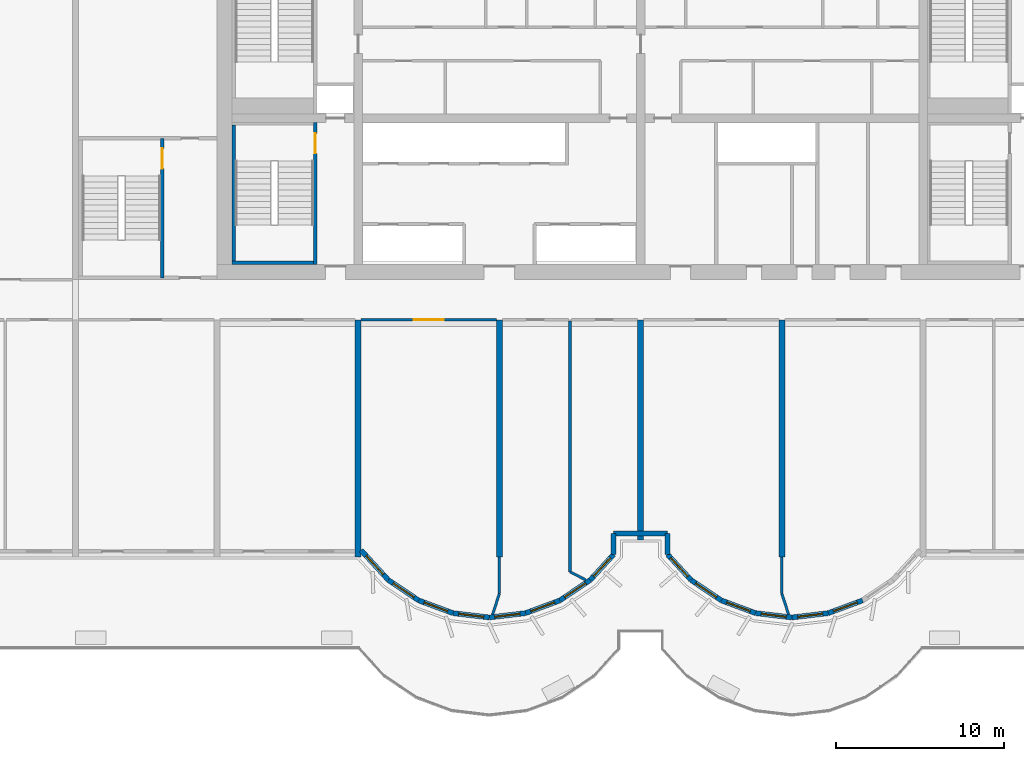
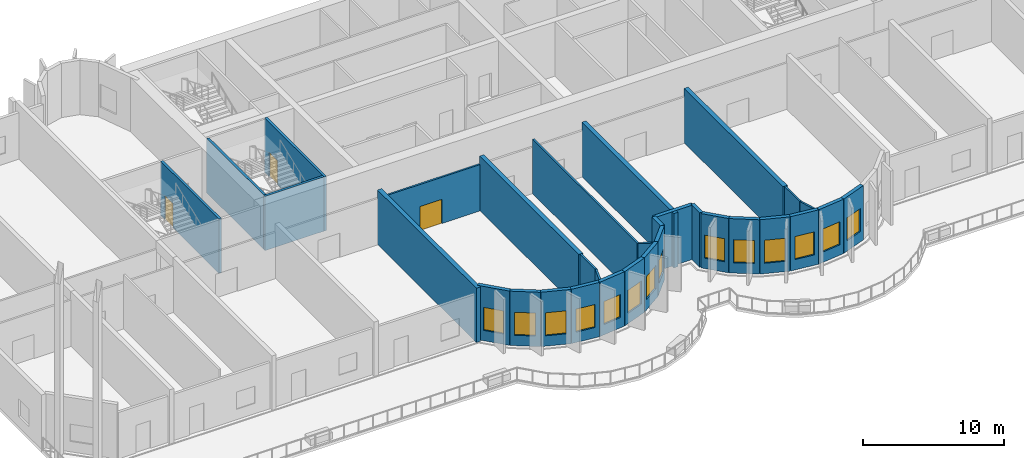
# One storey, part 3 of 13: 32 walls, 14 windows, 3 doors, 17 openings.
"""IFC4 building model written with IfcOpenShell, lengths in metres."""

from ifc_helpers import new_model, si_unit, direction, frame, frame_2d, origin, place, context, subcontext, project, spatial, rectangle, extrude, source, transform, mapped, material, layer, layer_set, type_object, element, fill, save


model = new_model("IFC4")

# Units and contexts
model_context = context("Model", 3, precision=1e-05, world=origin(), true_north=direction((0.0, 1.0)))
body_context = subcontext(model_context, "Body", "Model", "MODEL_VIEW")
ifc_project = project(units=[si_unit("LENGTHUNIT", "METRE"), si_unit("AREAUNIT", "SQUARE_METRE"), si_unit("VOLUMEUNIT", "CUBIC_METRE"), si_unit("PLANEANGLEUNIT", "RADIAN"), si_unit("MASSUNIT", "GRAM", prefix="KILO")], contexts=[model_context])

# Site, building, storey
site_placement = place(None, origin())
site = spatial("IfcSite", under=ifc_project, at=site_placement, CompositionType="ELEMENT")
building_placement = place(site_placement, origin())
building = spatial("IfcBuilding", under=site, at=building_placement, Name="Vanashikhar Sky Hotel", CompositionType="ELEMENT")
storey_placement = place(building_placement, frame((0.0, 0.0, 86.39990234375)))
storey = spatial("IfcBuildingStorey", under=building, at=storey_placement, Name="L20", CompositionType="ELEMENT", Elevation=86.39990234375)

# Walls
ifc_material_1 = material(Name="Concrete M70", Category="concrete")
ifc_layer_1 = layer(ifc_material_1, 0.35009765625)
ifc_layer_set_1 = layer_set([ifc_layer_1], Name="RC shear wall 350 Concrete M70")
wall_type_1 = type_object("IfcWallType", Name="RC shear wall 350 Concrete M70", PredefinedType="SHEAR", material=ifc_layer_set_1)
shared_shape_1 = source(origin(), body_context, "Body", "SweptSolid", [
    extrude(rectangle(XDim=14.10009765625, YDim=0.35009765625, at=frame_2d((7.050048828125, 0.0))), origin(), (0.0, 0.0, 1.0), 4.72021484375),
])
for number, where, z_axis, x_axis, name in (
    (1, (33.60009765625, 5.5, 0.0), (0.0, 0.0, 1.0), (0.0, 1.0, 0.0), "CW-L20-XW05-1"),
    (2, (42.0, 5.5, 0.0), (0.0, 0.0, 1.0), (0.0, 1.0, 0.0), "CW-L20-XW06-1"),
    (3, (58.800048828125, 5.5, 0.0), (0.0, 0.0, 1.0), (0.0, 1.0, 0.0), "CW-L20-XW08-1"),
):
    element("IfcWall", number, at=place(storey_placement, frame(where, z_axis=z_axis, x_axis=x_axis)), inside=storey, type_object=wall_type_1, Name=name, PredefinedType="SHEAR", context=body_context, shape_type="MappedRepresentation", body=[
        mapped(shared_shape_1, transform((0.0, 0.0, 0.0), scale=1.0)),
    ])
shared_shape_2 = source(origin(), body_context, "Body", "SweptSolid", [
    extrude(rectangle(XDim=13.10009765625, YDim=0.35009765625, at=frame_2d((6.550048828125, 0.0))), origin(), (0.0, 0.0, 1.0), 4.72021484375),
])
wall_1_placement = place(storey_placement, frame((50.39990234375, 6.5, 0.0), z_axis=(0.0, 0.0, 1.0), x_axis=(0.0, 1.0, 0.0)))
element("IfcWall", 4, at=wall_1_placement, inside=storey, type_object=wall_type_1, Name="CW-L20-XW07-1", PredefinedType="SHEAR", context=body_context, shape_type="MappedRepresentation", body=[
    mapped(shared_shape_2, transform((0.0, 0.0, 0.0), scale=1.0)),
])

# Wall, opening, window
ifc_material_2 = material(Name="Concrete M50", Category="concrete")
ifc_layer_2 = layer(ifc_material_2, 0.300048828125)
ifc_layer_set_2 = layer_set([ifc_layer_2], Name="Lobe wall 300")
wall_type_2 = type_object("IfcWallType", Name="Lobe wall 300", PredefinedType="SOLIDWALL", material=ifc_layer_set_2)
shared_shape_3 = source(origin(), body_context, "Body", "SweptSolid", [
    extrude(rectangle(XDim=2.398193359375, YDim=0.300048828125, at=frame_2d((1.19921875, 0.0))), origin(), (0.0, 0.0, 1.0), 4.72021484375),
])
wall_2_placement = place(storey_placement, frame((33.776123046875, 5.89990234375, 0.0), z_axis=(0.0, 0.0, 1.0), x_axis=(0.675374189419, -0.737475222815, 0.0)))
wall_2 = element("IfcWall", 5, at=wall_2_placement, inside=storey, type_object=wall_type_2, Name="Lobe wall", PredefinedType="SOLIDWALL", context=body_context, shape_type="MappedRepresentation", body=[
    mapped(shared_shape_3, transform((0.0, 0.0, 0.0), scale=1.0)),
])
shared_shape_4 = source(origin(), body_context, "Body", "SweptSolid", [
    extrude(rectangle(XDim=1.5, YDim=2.0, at=frame_2d((0.75, 1.0))), frame((0.0, 0.16015625, 0.0), z_axis=(0.0, -1.0, 0.0), x_axis=(1.0, 0.0, 0.0)), (0.0, 0.0, 1.0), 0.320068359375),
])
opening_1_placement = place(wall_2_placement, frame((0.44921875, 0.0, 0.89990234375)))
opening_1 = element("IfcOpeningElement", 6, at=opening_1_placement, cuts=wall_2, Name="Opening WN-2", PredefinedType="OPENING", context=body_context, shape_type="MappedRepresentation", body=[
    mapped(shared_shape_4, transform((0.0, 0.0, 0.0), scale=1.0)),
])
ifc_material_3 = material(Name="Glass", Category="glass")
window_type = type_object("IfcWindowType", Name="Lobe window 1500 x 2000", PartitioningType="SINGLE_PANEL", PredefinedType="WINDOW", material=ifc_material_3)
shared_shape_5 = source(origin(), body_context, "Body", "SweptSolid", [
    extrude(rectangle(XDim=1.5, YDim=2.0, at=frame_2d((0.75, 1.0))), frame((0.0, 0.030029296875, 0.0), z_axis=(0.0, -1.0, 0.0), x_axis=(1.0, 0.0, 0.0)), (0.0, 0.0, 1.0), 0.06005859375),
])
window_1_placement = place(opening_1_placement, origin())
window_1 = element("IfcWindow", 7, at=window_1_placement, inside=storey, type_object=window_type, Name="Window WN-2", OverallHeight=2.0, OverallWidth=1.5, PartitioningType="SINGLE_PANEL", PredefinedType="WINDOW", context=body_context, shape_type="MappedRepresentation", body=[
    mapped(shared_shape_5, transform((0.0, 0.0, 0.0), scale=1.0)),
])
fill(opening_1, window_1)

shared_shape_6 = source(origin(), body_context, "Body", "SweptSolid", [
    extrude(rectangle(XDim=2.17578125, YDim=0.300048828125, at=frame_2d((1.087890625, 0.0))), origin(), (0.0, 0.0, 1.0), 4.72021484375),
])
wall_3_placement = place(storey_placement, frame((35.395751953125, 4.13134765625, 0.0), z_axis=(0.0, 0.0, 1.0), x_axis=(0.829590746428, -0.558371913192, 0.0)))
wall_3 = element("IfcWall", 8, at=wall_3_placement, inside=storey, type_object=wall_type_2, Name="Lobe wall", PredefinedType="SOLIDWALL", context=body_context, shape_type="MappedRepresentation", body=[
    mapped(shared_shape_6, transform((0.0, 0.0, 0.0), scale=1.0)),
])
opening_2_placement = place(wall_3_placement, frame((0.337890625, 0.0, 0.89990234375)))
opening_2 = element("IfcOpeningElement", 9, at=opening_2_placement, cuts=wall_3, Name="Opening WN-2", PredefinedType="OPENING", context=body_context, shape_type="MappedRepresentation", body=[
    mapped(shared_shape_4, transform((0.0, 0.0, 0.0), scale=1.0)),
])
window_2_placement = place(opening_2_placement, origin())
window_2 = element("IfcWindow", 10, at=window_2_placement, inside=storey, type_object=window_type, Name="Window WN-2", OverallHeight=2.0, OverallWidth=1.5, PartitioningType="SINGLE_PANEL", PredefinedType="WINDOW", context=body_context, shape_type="MappedRepresentation", body=[
    mapped(shared_shape_5, transform((0.0, 0.0, 0.0), scale=1.0)),
])
fill(opening_2, window_2)

wall_4_placement = place(storey_placement, frame((37.20068359375, 2.91650390625, 0.0), z_axis=(0.0, 0.0, 1.0), x_axis=(0.93754555999, -0.347862505801, 0.0)))
wall_4 = element("IfcWall", 11, at=wall_4_placement, inside=storey, type_object=wall_type_2, Name="Lobe wall", PredefinedType="SOLIDWALL", context=body_context, shape_type="MappedRepresentation", body=[
    mapped(shared_shape_6, transform((0.0, 0.0, 0.0), scale=1.0)),
])
opening_3_placement = place(wall_4_placement, frame((0.337890625, 0.0, 0.89990234375)))
opening_3 = element("IfcOpeningElement", 12, at=opening_3_placement, cuts=wall_4, Name="Opening WN-2", PredefinedType="OPENING", context=body_context, shape_type="MappedRepresentation", body=[
    mapped(shared_shape_4, transform((0.0, 0.0, 0.0), scale=1.0)),
])
window_3_placement = place(opening_3_placement, origin())
window_3 = element("IfcWindow", 13, at=window_3_placement, inside=storey, type_object=window_type, Name="Window WN-2", OverallHeight=2.0, OverallWidth=1.5, PartitioningType="SINGLE_PANEL", PredefinedType="WINDOW", context=body_context, shape_type="MappedRepresentation", body=[
    mapped(shared_shape_5, transform((0.0, 0.0, 0.0), scale=1.0)),
])
fill(opening_3, window_3)

wall_5_placement = place(storey_placement, frame((45.59912109375, 2.91650390625, 0.0), z_axis=(0.0, 0.0, 1.0), x_axis=(0.829625727223, 0.558319937607, 0.0)))
wall_5 = element("IfcWall", 14, at=wall_5_placement, inside=storey, type_object=wall_type_2, Name="Lobe wall", PredefinedType="SOLIDWALL", context=body_context, shape_type="MappedRepresentation", body=[
    mapped(shared_shape_6, transform((0.0, 0.0, 0.0), scale=1.0)),
])
opening_4_placement = place(wall_5_placement, frame((0.337890625, 0.0, 0.89990234375)))
opening_4 = element("IfcOpeningElement", 15, at=opening_4_placement, cuts=wall_5, Name="Opening WN-2", PredefinedType="OPENING", context=body_context, shape_type="MappedRepresentation", body=[
    mapped(shared_shape_4, transform((0.0, 0.0, 0.0), scale=1.0)),
])
window_4_placement = place(opening_4_placement, origin())
window_4 = element("IfcWindow", 16, at=window_4_placement, inside=storey, type_object=window_type, Name="Window WN-2", OverallHeight=2.0, OverallWidth=1.5, PartitioningType="SINGLE_PANEL", PredefinedType="WINDOW", context=body_context, shape_type="MappedRepresentation", body=[
    mapped(shared_shape_5, transform((0.0, 0.0, 0.0), scale=1.0)),
])
fill(opening_4, window_4)

wall_6_placement = place(storey_placement, frame((53.395751953125, 4.13134765625, 0.0), z_axis=(0.0, 0.0, 1.0), x_axis=(0.829590746428, -0.558371913192, 0.0)))
wall_6 = element("IfcWall", 17, at=wall_6_placement, inside=storey, type_object=wall_type_2, Name="Lobe wall", PredefinedType="SOLIDWALL", context=body_context, shape_type="MappedRepresentation", body=[
    mapped(shared_shape_6, transform((0.0, 0.0, 0.0), scale=1.0)),
])
opening_5_placement = place(wall_6_placement, frame((0.337890625, 0.0, 0.89990234375)))
opening_5 = element("IfcOpeningElement", 18, at=opening_5_placement, cuts=wall_6, Name="Opening WN-2", PredefinedType="OPENING", context=body_context, shape_type="MappedRepresentation", body=[
    mapped(shared_shape_4, transform((0.0, 0.0, 0.0), scale=1.0)),
])
window_5_placement = place(opening_5_placement, origin())
window_5 = element("IfcWindow", 19, at=window_5_placement, inside=storey, type_object=window_type, Name="Window WN-2", OverallHeight=2.0, OverallWidth=1.5, PartitioningType="SINGLE_PANEL", PredefinedType="WINDOW", context=body_context, shape_type="MappedRepresentation", body=[
    mapped(shared_shape_5, transform((0.0, 0.0, 0.0), scale=1.0)),
])
fill(opening_5, window_5)

wall_7_placement = place(storey_placement, frame((55.20068359375, 2.91650390625, 0.0), z_axis=(0.0, 0.0, 1.0), x_axis=(0.93754555999, -0.347862505801, 0.0)))
wall_7 = element("IfcWall", 20, at=wall_7_placement, inside=storey, type_object=wall_type_2, Name="Lobe wall", PredefinedType="SOLIDWALL", context=body_context, shape_type="MappedRepresentation", body=[
    mapped(shared_shape_6, transform((0.0, 0.0, 0.0), scale=1.0)),
])
opening_6_placement = place(wall_7_placement, frame((0.337890625, 0.0, 0.89990234375)))
opening_6 = element("IfcOpeningElement", 21, at=opening_6_placement, cuts=wall_7, Name="Opening WN-2", PredefinedType="OPENING", context=body_context, shape_type="MappedRepresentation", body=[
    mapped(shared_shape_4, transform((0.0, 0.0, 0.0), scale=1.0)),
])
window_6_placement = place(opening_6_placement, origin())
window_6 = element("IfcWindow", 22, at=window_6_placement, inside=storey, type_object=window_type, Name="Window WN-2", OverallHeight=2.0, OverallWidth=1.5, PartitioningType="SINGLE_PANEL", PredefinedType="WINDOW", context=body_context, shape_type="MappedRepresentation", body=[
    mapped(shared_shape_5, transform((0.0, 0.0, 0.0), scale=1.0)),
])
fill(opening_6, window_6)

shared_shape_7 = source(origin(), body_context, "Body", "SweptSolid", [
    extrude(rectangle(XDim=2.174560546875, YDim=0.300048828125, at=frame_2d((1.08740234375, 0.0))), origin(), (0.0, 0.0, 1.0), 4.72021484375),
])
wall_8_placement = place(storey_placement, frame((39.240478515625, 2.15966796875, 0.0), z_axis=(0.0, 0.0, 1.0), x_axis=(0.993001132889, -0.118104826659, 0.0)))
wall_8 = element("IfcWall", 23, at=wall_8_placement, inside=storey, type_object=wall_type_2, Name="Lobe wall", PredefinedType="SOLIDWALL", context=body_context, shape_type="MappedRepresentation", body=[
    mapped(shared_shape_7, transform((0.0, 0.0, 0.0), scale=1.0)),
])
opening_7_placement = place(wall_8_placement, frame((0.33740234375, 0.0, 0.89990234375)))
opening_7 = element("IfcOpeningElement", 24, at=opening_7_placement, cuts=wall_8, Name="Opening WN-2", PredefinedType="OPENING", context=body_context, shape_type="MappedRepresentation", body=[
    mapped(shared_shape_4, transform((0.0, 0.0, 0.0), scale=1.0)),
])
window_7_placement = place(opening_7_placement, origin())
window_7 = element("IfcWindow", 25, at=window_7_placement, inside=storey, type_object=window_type, Name="Window WN-2", OverallHeight=2.0, OverallWidth=1.5, PartitioningType="SINGLE_PANEL", PredefinedType="WINDOW", context=body_context, shape_type="MappedRepresentation", body=[
    mapped(shared_shape_5, transform((0.0, 0.0, 0.0), scale=1.0)),
])
fill(opening_7, window_7)

wall_9_placement = place(storey_placement, frame((57.240478515625, 2.15966796875, 0.0), z_axis=(0.0, 0.0, 1.0), x_axis=(0.993001132889, -0.118104826659, 0.0)))
wall_9 = element("IfcWall", 26, at=wall_9_placement, inside=storey, type_object=wall_type_2, Name="Lobe wall", PredefinedType="SOLIDWALL", context=body_context, shape_type="MappedRepresentation", body=[
    mapped(shared_shape_7, transform((0.0, 0.0, 0.0), scale=1.0)),
])
opening_8_placement = place(wall_9_placement, frame((0.33740234375, 0.0, 0.89990234375)))
opening_8 = element("IfcOpeningElement", 27, at=opening_8_placement, cuts=wall_9, Name="Opening WN-2", PredefinedType="OPENING", context=body_context, shape_type="MappedRepresentation", body=[
    mapped(shared_shape_4, transform((0.0, 0.0, 0.0), scale=1.0)),
])
window_8_placement = place(opening_8_placement, origin())
window_8 = element("IfcWindow", 28, at=window_8_placement, inside=storey, type_object=window_type, Name="Window WN-2", OverallHeight=2.0, OverallWidth=1.5, PartitioningType="SINGLE_PANEL", PredefinedType="WINDOW", context=body_context, shape_type="MappedRepresentation", body=[
    mapped(shared_shape_5, transform((0.0, 0.0, 0.0), scale=1.0)),
])
fill(opening_8, window_8)

shared_shape_8 = source(origin(), body_context, "Body", "SweptSolid", [
    extrude(rectangle(XDim=2.1748046875, YDim=0.300048828125, at=frame_2d((1.08740234375, 0.0))), origin(), (0.0, 0.0, 1.0), 4.72021484375),
])
wall_10_placement = place(storey_placement, frame((41.39990234375, 1.90283203125, 0.0), z_axis=(0.0, 0.0, 1.0), x_axis=(0.993002698611, 0.118091661648, 0.0)))
wall_10 = element("IfcWall", 29, at=wall_10_placement, inside=storey, type_object=wall_type_2, Name="Lobe wall", PredefinedType="SOLIDWALL", context=body_context, shape_type="MappedRepresentation", body=[
    mapped(shared_shape_8, transform((0.0, 0.0, 0.0), scale=1.0)),
])
opening_9_placement = place(wall_10_placement, frame((0.33740234375, 0.0, 0.89990234375)))
opening_9 = element("IfcOpeningElement", 30, at=opening_9_placement, cuts=wall_10, Name="Opening WN-2", PredefinedType="OPENING", context=body_context, shape_type="MappedRepresentation", body=[
    mapped(shared_shape_4, transform((0.0, 0.0, 0.0), scale=1.0)),
])
window_9_placement = place(opening_9_placement, origin())
window_9 = element("IfcWindow", 31, at=window_9_placement, inside=storey, type_object=window_type, Name="Window WN-2", OverallHeight=2.0, OverallWidth=1.5, PartitioningType="SINGLE_PANEL", PredefinedType="WINDOW", context=body_context, shape_type="MappedRepresentation", body=[
    mapped(shared_shape_5, transform((0.0, 0.0, 0.0), scale=1.0)),
])
fill(opening_9, window_9)

wall_11_placement = place(storey_placement, frame((59.39990234375, 1.90283203125, 0.0), z_axis=(0.0, 0.0, 1.0), x_axis=(0.993002698611, 0.118091661648, 0.0)))
wall_11 = element("IfcWall", 32, at=wall_11_placement, inside=storey, type_object=wall_type_2, Name="Lobe wall", PredefinedType="SOLIDWALL", context=body_context, shape_type="MappedRepresentation", body=[
    mapped(shared_shape_8, transform((0.0, 0.0, 0.0), scale=1.0)),
])
opening_10_placement = place(wall_11_placement, frame((0.33740234375, 0.0, 0.89990234375)))
opening_10 = element("IfcOpeningElement", 33, at=opening_10_placement, cuts=wall_11, Name="Opening WN-2", PredefinedType="OPENING", context=body_context, shape_type="MappedRepresentation", body=[
    mapped(shared_shape_4, transform((0.0, 0.0, 0.0), scale=1.0)),
])
window_10_placement = place(opening_10_placement, origin())
window_10 = element("IfcWindow", 34, at=window_10_placement, inside=storey, type_object=window_type, Name="Window WN-2", OverallHeight=2.0, OverallWidth=1.5, PartitioningType="SINGLE_PANEL", PredefinedType="WINDOW", context=body_context, shape_type="MappedRepresentation", body=[
    mapped(shared_shape_5, transform((0.0, 0.0, 0.0), scale=1.0)),
])
fill(opening_10, window_10)

shared_shape_9 = source(origin(), body_context, "Body", "SweptSolid", [
    extrude(rectangle(XDim=2.175537109375, YDim=0.300048828125, at=frame_2d((1.087890625, 0.0))), origin(), (0.0, 0.0, 1.0), 4.72021484375),
])
wall_12_placement = place(storey_placement, frame((43.5595703125, 2.15966796875, 0.0), z_axis=(0.0, 0.0, 1.0), x_axis=(0.937531979054, 0.347899106424, 0.0)))
wall_12 = element("IfcWall", 35, at=wall_12_placement, inside=storey, type_object=wall_type_2, Name="Lobe wall", PredefinedType="SOLIDWALL", context=body_context, shape_type="MappedRepresentation", body=[
    mapped(shared_shape_9, transform((0.0, 0.0, 0.0), scale=1.0)),
])
opening_11_placement = place(wall_12_placement, frame((0.337890625, 0.0, 0.89990234375)))
opening_11 = element("IfcOpeningElement", 36, at=opening_11_placement, cuts=wall_12, Name="Opening WN-2", PredefinedType="OPENING", context=body_context, shape_type="MappedRepresentation", body=[
    mapped(shared_shape_4, transform((0.0, 0.0, 0.0), scale=1.0)),
])
window_11_placement = place(opening_11_placement, origin())
window_11 = element("IfcWindow", 37, at=window_11_placement, inside=storey, type_object=window_type, Name="Window WN-2", OverallHeight=2.0, OverallWidth=1.5, PartitioningType="SINGLE_PANEL", PredefinedType="WINDOW", context=body_context, shape_type="MappedRepresentation", body=[
    mapped(shared_shape_5, transform((0.0, 0.0, 0.0), scale=1.0)),
])
fill(opening_11, window_11)

wall_13_placement = place(storey_placement, frame((61.5595703125, 2.15966796875, 0.0), z_axis=(0.0, 0.0, 1.0), x_axis=(0.937531979054, 0.347899106424, 0.0)))
wall_13 = element("IfcWall", 38, at=wall_13_placement, inside=storey, type_object=wall_type_2, Name="Lobe wall", PredefinedType="SOLIDWALL", context=body_context, shape_type="MappedRepresentation", body=[
    mapped(shared_shape_9, transform((0.0, 0.0, 0.0), scale=1.0)),
])
opening_12_placement = place(wall_13_placement, frame((0.337890625, 0.0, 0.89990234375)))
opening_12 = element("IfcOpeningElement", 39, at=opening_12_placement, cuts=wall_13, Name="Opening WN-2", PredefinedType="OPENING", context=body_context, shape_type="MappedRepresentation", body=[
    mapped(shared_shape_4, transform((0.0, 0.0, 0.0), scale=1.0)),
])
window_12_placement = place(opening_12_placement, origin())
window_12 = element("IfcWindow", 40, at=window_12_placement, inside=storey, type_object=window_type, Name="Window WN-2", OverallHeight=2.0, OverallWidth=1.5, PartitioningType="SINGLE_PANEL", PredefinedType="WINDOW", context=body_context, shape_type="MappedRepresentation", body=[
    mapped(shared_shape_5, transform((0.0, 0.0, 0.0), scale=1.0)),
])
fill(opening_12, window_12)

shared_shape_10 = source(origin(), body_context, "Body", "SweptSolid", [
    extrude(rectangle(XDim=2.066650390625, YDim=0.300048828125, at=frame_2d((1.033203125, 0.0))), origin(), (0.0, 0.0, 1.0), 4.72021484375),
])
wall_14_placement = place(storey_placement, frame((47.404296875, 4.13134765625, 0.0), z_axis=(0.0, 0.0, 1.0), x_axis=(0.675355439877, 0.737492393065, 0.0)))
wall_14 = element("IfcWall", 41, at=wall_14_placement, inside=storey, type_object=wall_type_2, Name="Lobe wall", PredefinedType="SOLIDWALL", context=body_context, shape_type="MappedRepresentation", body=[
    mapped(shared_shape_10, transform((0.0, 0.0, 0.0), scale=1.0)),
])
opening_13_placement = place(wall_14_placement, frame((0.283447265625, 0.0, 0.89990234375)))
opening_13 = element("IfcOpeningElement", 42, at=opening_13_placement, cuts=wall_14, Name="Opening WN-2", PredefinedType="OPENING", context=body_context, shape_type="MappedRepresentation", body=[
    mapped(shared_shape_4, transform((0.0, 0.0, 0.0), scale=1.0)),
])
window_13_placement = place(opening_13_placement, origin())
window_13 = element("IfcWindow", 43, at=window_13_placement, inside=storey, type_object=window_type, Name="Window WN-2", OverallHeight=2.0, OverallWidth=1.5, PartitioningType="SINGLE_PANEL", PredefinedType="WINDOW", context=body_context, shape_type="MappedRepresentation", body=[
    mapped(shared_shape_5, transform((0.0, 0.0, 0.0), scale=1.0)),
])
fill(opening_13, window_13)

wall_15_placement = place(storey_placement, frame((52.0, 5.655517578125, 0.0), z_axis=(0.0, 0.0, 1.0), x_axis=(0.675355439877, -0.737492393065, 0.0)))
wall_15 = element("IfcWall", 44, at=wall_15_placement, inside=storey, type_object=wall_type_2, Name="Lobe wall", PredefinedType="SOLIDWALL", context=body_context, shape_type="MappedRepresentation", body=[
    mapped(shared_shape_10, transform((0.0, 0.0, 0.0), scale=1.0)),
])
opening_14_placement = place(wall_15_placement, frame((0.283447265625, 0.0, 0.89990234375)))
opening_14 = element("IfcOpeningElement", 45, at=opening_14_placement, cuts=wall_15, Name="Opening WN-2", PredefinedType="OPENING", context=body_context, shape_type="MappedRepresentation", body=[
    mapped(shared_shape_4, transform((0.0, 0.0, 0.0), scale=1.0)),
])
window_14_placement = place(opening_14_placement, origin())
window_14 = element("IfcWindow", 46, at=window_14_placement, inside=storey, type_object=window_type, Name="Window WN-2", OverallHeight=2.0, OverallWidth=1.5, PartitioningType="SINGLE_PANEL", PredefinedType="WINDOW", context=body_context, shape_type="MappedRepresentation", body=[
    mapped(shared_shape_5, transform((0.0, 0.0, 0.0), scale=1.0)),
])
fill(opening_14, window_14)

# Walls
shared_shape_11 = source(origin(), body_context, "Body", "SweptSolid", [
    extrude(rectangle(XDim=1.244384765625, YDim=0.300048828125, at=frame_2d((0.6220703125, 0.0))), origin(), (0.0, 0.0, 1.0), 4.72021484375),
])
for number, where, z_axis, x_axis, name in (
    (47, (48.800048828125, 5.655517578125, 0.0), (0.0, 0.0, 1.0), (0.0, 1.0, 0.0), "Groove wall"),
    (48, (52.0, 6.89990234375, 0.0), (0.0, 0.0, 1.0), (0.0, -1.0, 0.0), "Groove wall"),
):
    element("IfcWall", number, at=place(storey_placement, frame(where, z_axis=z_axis, x_axis=x_axis)), inside=storey, type_object=wall_type_2, Name=name, PredefinedType="SOLIDWALL", context=body_context, shape_type="MappedRepresentation", body=[
        mapped(shared_shape_11, transform((0.0, 0.0, 0.0), scale=1.0)),
    ])
shared_shape_12 = source(origin(), body_context, "Body", "SweptSolid", [
    extrude(rectangle(XDim=3.199951171875, YDim=0.300048828125, at=frame_2d((1.60009765625, 0.0))), origin(), (0.0, 0.0, 1.0), 4.72021484375),
])
wall_16_placement = place(storey_placement, frame((48.800048828125, 6.89990234375, 0.0), z_axis=(0.0, 0.0, 1.0), x_axis=(1.0, 0.0, 0.0)))
element("IfcWall", 49, at=wall_16_placement, inside=storey, type_object=wall_type_2, Name="Groove wall", PredefinedType="SOLIDWALL", context=body_context, shape_type="MappedRepresentation", body=[
    mapped(shared_shape_12, transform((0.0, 0.0, 0.0), scale=1.0)),
])

# Wall, opening, door
ifc_layer_3 = layer(ifc_material_2, 0.199951171875)
ifc_layer_set_3 = layer_set([ifc_layer_3], Name="Stair wall 200")
wall_type_3 = type_object("IfcWallType", Name="Stair wall 200", PredefinedType="SOLIDWALL", material=ifc_layer_set_3)
shared_shape_13 = source(origin(), body_context, "Body", "SweptSolid", [
    extrude(rectangle(XDim=8.4501953125, YDim=0.199951171875, at=frame_2d((4.22509765625, 0.0))), origin(), (0.0, 0.0, 1.0), 4.72021484375),
])
wall_17_placement = place(storey_placement, frame((31.050048828125, 22.89990234375, 0.0), z_axis=(0.0, 0.0, 1.0), x_axis=(0.0, 1.0, 0.0)))
wall_17 = element("IfcWall", 50, at=wall_17_placement, inside=storey, type_object=wall_type_3, Name="Stair wall 200", PredefinedType="SOLIDWALL", context=body_context, shape_type="MappedRepresentation", body=[
    mapped(shared_shape_13, transform((0.0, 0.0, 0.0), scale=1.0)),
])
shared_shape_14 = source(origin(), body_context, "Body", "SweptSolid", [
    extrude(rectangle(XDim=1.199951171875, YDim=2.10009765625, at=frame_2d((0.60009765625, 1.050048828125))), frame((0.0, 0.10986328125, 0.0), z_axis=(0.0, -1.0, 0.0), x_axis=(1.0, 0.0, 0.0)), (0.0, 0.0, 1.0), 0.219970703125),
])
opening_15_placement = place(wall_17_placement, frame((6.60009765625, 0.0, 0.0)))
opening_15 = element("IfcOpeningElement", 51, at=opening_15_placement, cuts=wall_17, Name="Opening DC-1", PredefinedType="OPENING", context=body_context, shape_type="MappedRepresentation", body=[
    mapped(shared_shape_14, transform((0.0, 0.0, 0.0), scale=1.0)),
])
ifc_material_4 = material(Name="Steel", Category="steel")
door_type_1 = type_object("IfcDoorType", Name="Stair door 1200 FD120", OperationType="NOTDEFINED", PredefinedType="DOOR", material=ifc_material_4)
shared_shape_15 = source(origin(), body_context, "Body", "SweptSolid", [
    extrude(rectangle(XDim=1.199951171875, YDim=2.10009765625, at=frame_2d((0.60009765625, 1.050048828125))), frame((0.0, 0.02490234375, 0.0), z_axis=(0.0, -1.0, 0.0), x_axis=(1.0, 0.0, 0.0)), (0.0, 0.0, 1.0), 0.050048828125),
])
door_1_placement = place(opening_15_placement, origin())
door_1 = element("IfcDoor", 52, at=door_1_placement, inside=storey, type_object=door_type_1, Name="Stair door 1200 FD120", OperationType="SINGLE_SWING_LEFT", OverallHeight=2.10009765625, OverallWidth=1.199951171875, PredefinedType="DOOR", context=body_context, shape_type="MappedRepresentation", body=[
    mapped(shared_shape_15, transform((0.0, 0.0, 0.0), scale=1.0)),
])
fill(opening_15, door_1)

shared_shape_16 = source(origin(), body_context, "Body", "SweptSolid", [
    extrude(rectangle(XDim=8.2998046875, YDim=0.199951171875, at=frame_2d((4.14990234375, 0.0))), origin(), (0.0, 0.0, 1.0), 4.72021484375),
])
wall_18_placement = place(storey_placement, frame((21.949951171875, 22.10009765625, 0.0), z_axis=(0.0, 0.0, 1.0), x_axis=(0.0, 1.0, 0.0)))
wall_18 = element("IfcWall", 53, at=wall_18_placement, inside=storey, type_object=wall_type_3, Name="Stair wall 200", PredefinedType="SOLIDWALL", context=body_context, shape_type="MappedRepresentation", body=[
    mapped(shared_shape_16, transform((0.0, 0.0, 0.0), scale=1.0)),
])
opening_16_placement = place(wall_18_placement, frame((6.5, 0.0, 0.0)))
opening_16 = element("IfcOpeningElement", 54, at=opening_16_placement, cuts=wall_18, Name="Opening DC-1", PredefinedType="OPENING", context=body_context, shape_type="MappedRepresentation", body=[
    mapped(shared_shape_14, transform((0.0, 0.0, 0.0), scale=1.0)),
])
door_2_placement = place(opening_16_placement, origin())
door_2 = element("IfcDoor", 55, at=door_2_placement, inside=storey, type_object=door_type_1, Name="Stair door 1200 FD120", OperationType="SINGLE_SWING_LEFT", OverallHeight=2.10009765625, OverallWidth=1.199951171875, PredefinedType="DOOR", context=body_context, shape_type="MappedRepresentation", body=[
    mapped(shared_shape_15, transform((0.0, 0.0, 0.0), scale=1.0)),
])
fill(opening_16, door_2)

# Walls
ifc_layer_4 = layer(ifc_material_2, 0.199951171875)
ifc_layer_set_4 = layer_set([ifc_layer_4], Name="Stair infill wall 200")
wall_type_4 = type_object("IfcWallType", Name="Stair infill wall 200", PredefinedType="SOLIDWALL", material=ifc_layer_set_4)
shared_shape_17 = source(origin(), body_context, "Body", "SweptSolid", [
    extrude(rectangle(XDim=4.849853515625, YDim=0.199951171875, at=frame_2d((2.4248046875, 0.0))), origin(), (0.0, 0.0, 1.0), 4.72021484375),
])
wall_19_placement = place(storey_placement, frame((26.10009765625, 23.0, 0.0), z_axis=(0.0, 0.0, 1.0), x_axis=(1.0, 0.0, 0.0)))
element("IfcWall", 56, at=wall_19_placement, inside=storey, type_object=wall_type_4, Name="Stair infill wall 200", PredefinedType="SOLIDWALL", context=body_context, shape_type="MappedRepresentation", body=[
    mapped(shared_shape_17, transform((0.0, 0.0, 0.0), scale=1.0)),
])
shared_shape_18 = source(origin(), body_context, "Body", "SweptSolid", [
    extrude(rectangle(XDim=8.099853515625, YDim=0.199951171875, at=frame_2d((4.0498046875, 0.0))), origin(), (0.0, 0.0, 1.0), 4.72021484375),
])
wall_20_placement = place(storey_placement, frame((26.199951171875, 23.10009765625, 0.0), z_axis=(0.0, 0.0, 1.0), x_axis=(0.0, 1.0, 0.0)))
element("IfcWall", 57, at=wall_20_placement, inside=storey, type_object=wall_type_4, Name="Stair infill wall 200", PredefinedType="SOLIDWALL", context=body_context, shape_type="MappedRepresentation", body=[
    mapped(shared_shape_18, transform((0.0, 0.0, 0.0), scale=1.0)),
])

# Wall, opening, door
ifc_material_5 = material(Name="Gypsum plasterboard partition")
ifc_layer_5 = layer(ifc_material_5, 0.14990234375)
ifc_layer_set_5 = layer_set([ifc_layer_5], Name="Corridor and demising partition 150")
wall_type_5 = type_object("IfcWallType", Name="Corridor and demising partition 150", PredefinedType="PARTITIONING", material=ifc_layer_set_5)
shared_shape_19 = source(origin(), body_context, "Body", "SweptSolid", [
    extrude(rectangle(XDim=8.050048828125, YDim=0.14990234375, at=frame_2d((4.02490234375, 0.0))), origin(), (0.0, 0.0, 1.0), 4.02001953125),
])
wall_21_placement = place(storey_placement, frame((33.77490234375, 19.60009765625, 0.0), z_axis=(0.0, 0.0, 1.0), x_axis=(1.0, 0.0, 0.0)))
wall_21 = element("IfcWall", 58, at=wall_21_placement, inside=storey, type_object=wall_type_5, Name="W-L20-PW007", PredefinedType="PARTITIONING", context=body_context, shape_type="MappedRepresentation", body=[
    mapped(shared_shape_19, transform((0.0, 0.0, 0.0), scale=1.0)),
])
shared_shape_20 = source(origin(), body_context, "Body", "SweptSolid", [
    extrude(rectangle(XDim=1.800048828125, YDim=2.10009765625, at=frame_2d((0.89990234375, 1.050048828125))), frame((0.0, 0.0849609375, 0.0), z_axis=(0.0, -1.0, 0.0), x_axis=(1.0, 0.0, 0.0)), (0.0, 0.0, 1.0), 0.169921875),
])
opening_17_placement = place(wall_21_placement, frame((3.125, 0.0, 0.0)))
opening_17 = element("IfcOpeningElement", 59, at=opening_17_placement, cuts=wall_21, Name="Opening D-03", PredefinedType="OPENING", context=body_context, shape_type="MappedRepresentation", body=[
    mapped(shared_shape_20, transform((0.0, 0.0, 0.0), scale=1.0)),
])
ifc_material_6 = material(Name="Timber fire door", Category="wood")
door_type_2 = type_object("IfcDoorType", Name="Double leaf door 1800 FD30S", OperationType="NOTDEFINED", PredefinedType="DOOR", material=ifc_material_6)
shared_shape_21 = source(origin(), body_context, "Body", "SweptSolid", [
    extrude(rectangle(XDim=1.800048828125, YDim=2.10009765625, at=frame_2d((0.89990234375, 1.050048828125))), frame((0.0, 0.02490234375, 0.0), z_axis=(0.0, -1.0, 0.0), x_axis=(1.0, 0.0, 0.0)), (0.0, 0.0, 1.0), 0.050048828125),
])
door_3_placement = place(opening_17_placement, origin())
door_3 = element("IfcDoor", 60, at=door_3_placement, inside=storey, type_object=door_type_2, Name="D-L20-006", OperationType="DOUBLE_DOOR_SINGLE_SWING", OverallHeight=2.10009765625, OverallWidth=1.800048828125, PredefinedType="DOOR", context=body_context, shape_type="MappedRepresentation", body=[
    mapped(shared_shape_21, transform((0.0, 0.0, 0.0), scale=1.0)),
])
fill(opening_17, door_3)

# Walls
shared_shape_22 = source(origin(), body_context, "Body", "SweptSolid", [
    extrude(rectangle(XDim=14.906005859375, YDim=0.14990234375, at=frame_2d((7.453125, 0.0))), origin(), (0.0, 0.0, 1.0), 4.72021484375),
])
wall_22_placement = place(storey_placement, frame((46.199951171875, 4.618896484375, 0.0), z_axis=(0.0, 0.0, 1.0), x_axis=(0.0, 1.0, 0.0)))
element("IfcWall", 61, at=wall_22_placement, inside=storey, type_object=wall_type_5, Name="W-L20-PW010", PredefinedType="PARTITIONING", context=body_context, shape_type="MappedRepresentation", body=[
    mapped(shared_shape_22, transform((0.0, 0.0, 0.0), scale=1.0)),
])
shared_shape_23 = source(origin(), body_context, "Body", "SweptSolid", [
    extrude(rectangle(XDim=2.177978515625, YDim=0.14990234375, at=frame_2d((1.0888671875, 0.0))), origin(), (0.0, 0.0, 1.0), 4.72021484375),
])
for number, where, z_axis, x_axis, name in (
    (62, (42.0, 3.322021484375, 0.0), (0.0, 0.0, 1.0), (0.0, 1.0, 0.0), "W-L20-PW019"),
    (63, (58.800048828125, 3.322021484375, 0.0), (0.0, 0.0, 1.0), (0.0, 1.0, 0.0), "W-L20-PW020"),
):
    element("IfcWall", number, at=place(storey_placement, frame(where, z_axis=z_axis, x_axis=x_axis)), inside=storey, type_object=wall_type_5, Name=name, PredefinedType="PARTITIONING", context=body_context, shape_type="MappedRepresentation", body=[
        mapped(shared_shape_23, transform((0.0, 0.0, 0.0), scale=1.0)),
    ])
shared_shape_24 = source(origin(), body_context, "Body", "SweptSolid", [
    extrude(rectangle(XDim=1.0576171875, YDim=0.14990234375, at=frame_2d((0.52880859375, 0.0))), origin(), (0.0, 0.0, 1.0), 4.72021484375),
])
wall_23_placement = place(storey_placement, frame((47.139892578125, 4.134033203125, 0.0), z_axis=(0.0, 0.0, 1.0), x_axis=(-0.888723819054, 0.458442988218, 0.0)))
element("IfcWall", 64, at=wall_23_placement, inside=storey, type_object=wall_type_5, Name="W-L20-PW010B0", PredefinedType="PARTITIONING", context=body_context, shape_type="MappedRepresentation", body=[
    mapped(shared_shape_24, transform((0.0, 0.0, 0.0), scale=1.0)),
])
shared_shape_25 = source(origin(), body_context, "Body", "SweptSolid", [
    extrude(rectangle(XDim=1.308349609375, YDim=0.14990234375, at=frame_2d((0.654296875, 0.0))), origin(), (0.0, 0.0, 1.0), 4.72021484375),
])
for number, where, z_axis, x_axis, name in (
    (65, (41.597900390625, 2.076904296875, 0.0), (0.0, 0.0, 1.0), (0.307313512187, 0.951608325535, 0.0), "W-L20-PW019B0"),
    (66, (59.201904296875, 2.076904296875, 0.0), (0.0, 0.0, 1.0), (-0.307144529633, 0.951662880392, 0.0), "W-L20-PW020B0"),
):
    element("IfcWall", number, at=place(storey_placement, frame(where, z_axis=z_axis, x_axis=x_axis)), inside=storey, type_object=wall_type_5, Name=name, PredefinedType="PARTITIONING", context=body_context, shape_type="MappedRepresentation", body=[
        mapped(shared_shape_25, transform((0.0, 0.0, 0.0), scale=1.0)),
    ])

save(model, "model.ifc")
